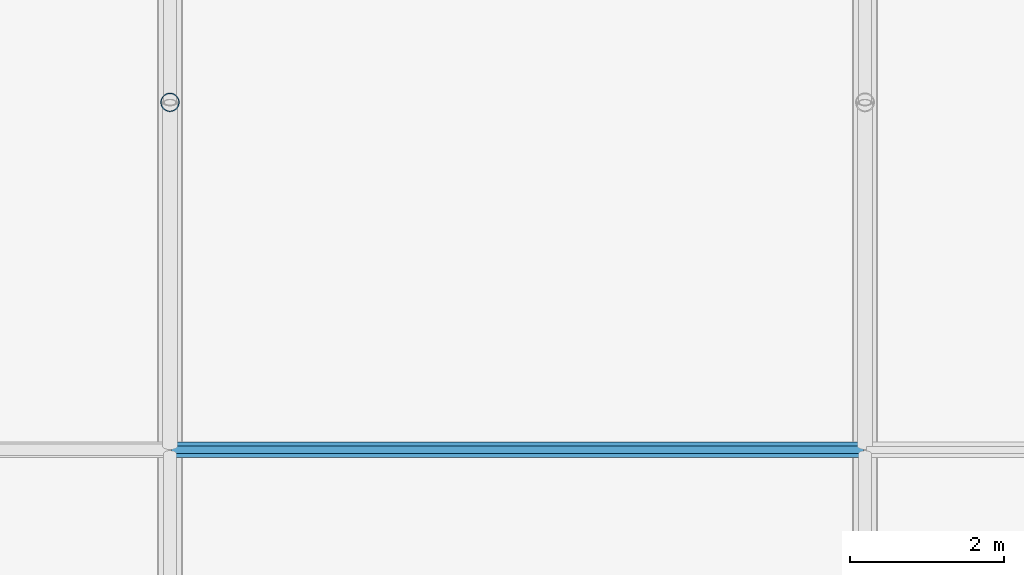
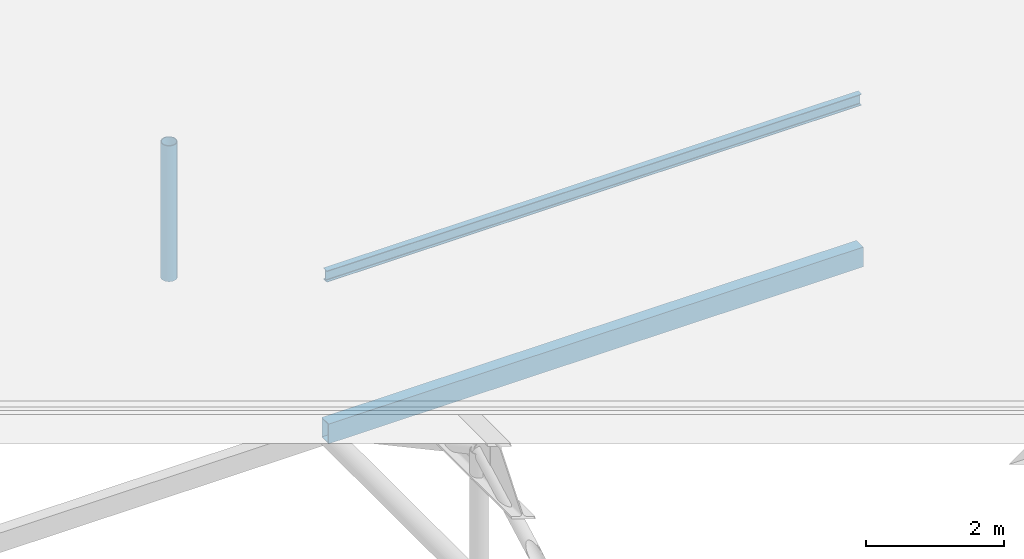
# One storey, part 58 of 196: 3 members.
"""IFC4 building model written with IfcOpenShell, lengths in metres."""

from ifc_helpers import new_model, si_unit, direction, frame, origin, origin_2d, place, context, subcontext, project, spatial, hollow_rectangle, hollow_circle, i_section, extrude, material, material_profile, profile_set, type_object, element, save


model = new_model("IFC4")

# Units and contexts
model_context = context("Model", 3, precision=1e-05, world=origin(), true_north=direction((0.0, 1.0)))
body_context = subcontext(model_context, "Body", "Model", "MODEL_VIEW")
ifc_project = project(units=[si_unit("LENGTHUNIT", "METRE"), si_unit("AREAUNIT", "SQUARE_METRE"), si_unit("VOLUMEUNIT", "CUBIC_METRE"), si_unit("PLANEANGLEUNIT", "RADIAN"), si_unit("MASSUNIT", "GRAM", prefix="KILO")], contexts=[model_context])

# Site, building, storey
site_placement = place(None, origin())
site = spatial("IfcSite", under=ifc_project, at=site_placement, CompositionType="ELEMENT")
building_placement = place(site_placement, origin())
building = spatial("IfcBuilding", under=site, at=building_placement, Name="Barlavento Convention Centre", CompositionType="ELEMENT")
storey_placement = place(building_placement, frame((0.0, 0.0, 18.0)))
storey = spatial("IfcBuildingStorey", under=building, at=storey_placement, Name="L03", CompositionType="ELEMENT", Elevation=18.0)

# Members
ifc_material = material(Name="Steel S355", Category="steel")
ifc_material_profile_1 = material_profile(ifc_material, hollow_rectangle(XDim=0.199951171875, YDim=0.35009765625, WallThickness=0.012451171875, at=origin_2d()), Name="RHS 350x200x12.5")
ifc_profile_set_1 = profile_set([ifc_material_profile_1], Name="Steel S355")
member_type_1 = type_object("IfcMemberType", Name="STR-MEM-COL-RHS350", PredefinedType="COLLAR", material=ifc_profile_set_1)
member_1_placement = place(storey_placement, frame((36.02001953125, 90.0, -3.199951171875), z_axis=(1.0, 0.0, 0.0), x_axis=(0.0, 1.0, 0.0)))
element("IfcMember", 1, at=member_1_placement, inside=storey, type_object=member_type_1, Name="Exhibition space frame transverse chord", PredefinedType="COLLAR", context=body_context, shape_type="SweptSolid", body=[
    extrude(hollow_rectangle(XDim=0.199951171875, YDim=0.35009765625, WallThickness=0.012451171875, at=origin_2d()), origin(), (0.0, 0.0, 1.0), 8.9599609375),
])
ifc_material_profile_2 = material_profile(ifc_material, i_section(OverallWidth=0.10009765625, OverallDepth=0.199951171875, WebThickness=0.005615234375, FlangeThickness=0.008544921875, FilletRadius=0.011962890625, at=origin_2d()), Name="IPE 200")
ifc_profile_set_2 = profile_set([ifc_material_profile_2], Name="Steel S355")
member_type_2 = type_object("IfcMemberType", Name="STR-MEM-PUR-IPE200", PredefinedType="PURLIN", material=ifc_profile_set_2)
member_2_placement = place(storey_placement, frame((36.02001953125, 90.0, -0.445068359375), z_axis=(1.0, 0.0, 0.0), x_axis=(0.0, 1.0, 0.0)))
element("IfcMember", 2, at=member_2_placement, inside=storey, type_object=member_type_2, Name="Exhibition roof purlin", PredefinedType="PURLIN", context=body_context, shape_type="SweptSolid", body=[
    extrude(i_section(OverallWidth=0.10009765625, OverallDepth=0.199951171875, WebThickness=0.005615234375, FlangeThickness=0.008544921875, FilletRadius=0.011962890625, at=origin_2d()), origin(), (0.0, 0.0, 1.0), 8.9599609375),
])
ifc_material_profile_3 = material_profile(ifc_material, hollow_circle(Radius=0.122314453125, WallThickness=0.012451171875, at=origin_2d()), Name="CHS 244.5x12.5")
ifc_profile_set_3 = profile_set([ifc_material_profile_3], Name="Steel S355")
member_type_3 = type_object("IfcMemberType", Name="STR-MEM-STRUT-CHS244", PredefinedType="STRUT", material=ifc_profile_set_3)
member_3_placement = place(storey_placement, frame((36.0, 94.5, -3.199951171875), z_axis=(0.0, 0.0, 1.0), x_axis=(1.0, 0.0, 0.0)))
element("IfcMember", 3, at=member_3_placement, inside=storey, type_object=member_type_3, Name="Exhibition space frame vertical strut", PredefinedType="STRUT", context=body_context, shape_type="SweptSolid", body=[
    extrude(hollow_circle(Radius=0.122314453125, WallThickness=0.012451171875, at=origin_2d()), origin(), (0.0, 0.0, 1.0), 2.405029296875),
])

save(model, "model.ifc")
